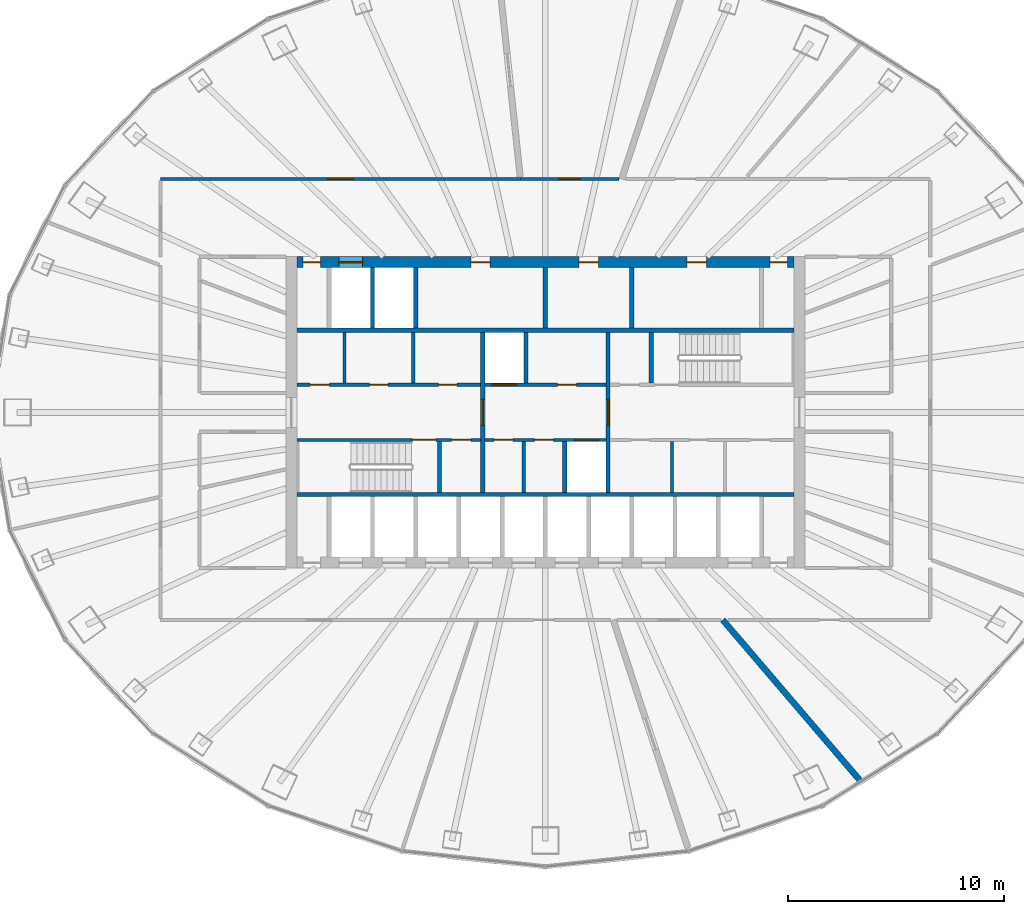
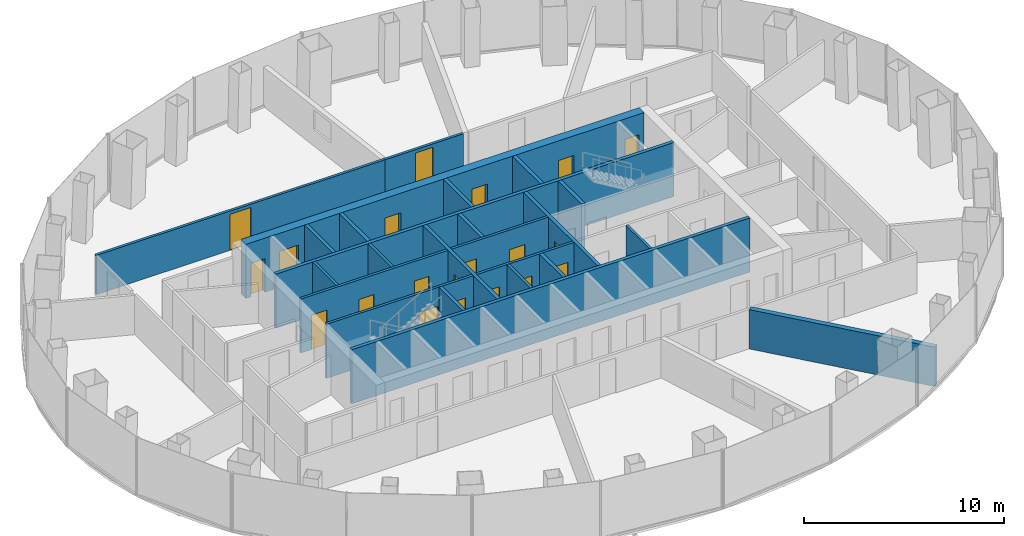
# One storey, part 9 of 12: 24 walls, 20 doors, 20 openings.
"""IFC4 building model written with IfcOpenShell, lengths in metres."""

from ifc_helpers import new_model, si_unit, direction, frame, frame_2d, origin, place, context, subcontext, project, spatial, rectangle, extrude, material, layer, layer_set, type_object, element, fill, save


model = new_model("IFC4")

# Units and contexts
model_context = context("Model", 3, precision=1e-05, world=origin(), true_north=direction((0.0, 1.0)))
body_context = subcontext(model_context, "Body", "Model", "MODEL_VIEW")
ifc_project = project(units=[si_unit("LENGTHUNIT", "METRE"), si_unit("AREAUNIT", "SQUARE_METRE"), si_unit("VOLUMEUNIT", "CUBIC_METRE"), si_unit("PLANEANGLEUNIT", "RADIAN"), si_unit("MASSUNIT", "GRAM", prefix="KILO")], contexts=[model_context])

# Site, building, storey
site_placement = place(None, origin())
site = spatial("IfcSite", under=ifc_project, at=site_placement, CompositionType="ELEMENT")
building_placement = place(site_placement, origin())
building = spatial("IfcBuilding", under=site, at=building_placement, Name="Siaravel Broadcast Tower", CompositionType="ELEMENT")
storey_placement = place(building_placement, frame((0.0, 0.0, 115.60009765625)))
storey = spatial("IfcBuildingStorey", under=building, at=storey_placement, Name="L27", CompositionType="ELEMENT", Elevation=115.60009765625)

# Walls
ifc_material_1 = material(Name="Double-leaf acoustic partition", Category="gypsum")
ifc_layer_1 = layer(ifc_material_1, 0.280029296875)
ifc_layer_set_1 = layer_set([ifc_layer_1], Name="Double-leaf acoustic partition")
wall_type_1 = type_object("IfcWallType", Name="Acoustic double-leaf wall 280", PredefinedType="PARTITIONING", material=ifc_layer_set_1)
wall_1_placement = place(storey_placement, frame((8.206298828125, -9.60009765625, 0.0), z_axis=(0.0, 0.0, 1.0), x_axis=(0.649790619, -0.760113249, 0.0)))
element("IfcWall", 1, at=wall_1_placement, inside=storey, type_object=wall_type_1, Name="L27 partition 8", PredefinedType="PARTITIONING", context=body_context, shape_type="SweptSolid", body=[
    extrude(rectangle(XDim=9.849853515625, YDim=0.280029296875, at=frame_2d((4.9248046875, 0.0))), origin(), (0.0, 0.0, 1.0), 2.39990234375),
])
ifc_material_2 = material(Name="Concrete blockwork", Category="masonry")
ifc_layer_2 = layer(ifc_material_2, 0.14990234375)
ifc_layer_set_2 = layer_set([ifc_layer_2], Name="Concrete blockwork")
wall_type_2 = type_object("IfcWallType", Name="Core partition 150", PredefinedType="PARTITIONING", material=ifc_layer_set_2)
for number, where, z_axis, x_axis, name in (
    (2, (-9.29296875, 1.35009765625, 0.0), (0.0, 0.0, 1.0), (0.0, 1.0, 0.0), "L27 core partition PNW0"),
    (3, (-6.10888671875, 1.35009765625, 0.0), (0.0, 0.0, 1.0), (0.0, 1.0, 0.0), "L27 core partition PNW1"),
    (4, (5.863037109375, -3.699951171875, 0.0), (0.0, 0.0, 1.0), (0.0, 1.0, 0.0), "L27 core partition PSE0"),
    (5, (-1.0, -3.699951171875, 0.0), (0.0, 0.0, 1.0), (0.0, 1.0, 0.0), "L27 core partition PSM0"),
):
    element("IfcWall", number, at=place(storey_placement, frame(where, z_axis=z_axis, x_axis=x_axis)), inside=storey, type_object=wall_type_2, Name=name, PredefinedType="PARTITIONING", context=body_context, shape_type="SweptSolid", body=[
        extrude(rectangle(XDim=2.349853515625, YDim=0.14990234375, at=frame_2d((1.1748046875, 0.0))), origin(), (0.0, 0.0, 1.0), 3.2998046875),
    ])
ifc_layer_3 = layer(ifc_material_2, 0.199951171875)
ifc_layer_set_3 = layer_set([ifc_layer_3], Name="Concrete blockwork")
wall_type_3 = type_object("IfcWallType", Name="Core partition 200", PredefinedType="PARTITIONING", material=ifc_layer_set_3)
for number, where, z_axis, x_axis, name in (
    (6, (0.0, 3.89990234375, 0.0), (0.0, 0.0, 1.0), (0.0, 1.0, 0.0), "L27 core partition PFN2"),
    (7, (4.0, 3.89990234375, 0.0), (0.0, 0.0, 1.0), (0.0, 1.0, 0.0), "L27 core partition PFN5"),
):
    element("IfcWall", number, at=place(storey_placement, frame(where, z_axis=z_axis, x_axis=x_axis)), inside=storey, type_object=wall_type_3, Name=name, PredefinedType="PARTITIONING", context=body_context, shape_type="SweptSolid", body=[
        extrude(rectangle(XDim=2.800048828125, YDim=0.199951171875, at=frame_2d((1.39990234375, 0.0))), origin(), (0.0, 0.0, 1.0), 3.2998046875),
    ])

# Wall, openings, doors
ifc_material_3 = material(Name="Concrete C60/75", Category="concrete")
ifc_layer_4 = layer(ifc_material_3, 0.5)
ifc_layer_set_4 = layer_set([ifc_layer_4], Name="Concrete C60/75")
wall_type_4 = type_object("IfcWallType", Name="Core wall 500", PredefinedType="SHEAR", material=ifc_layer_set_4)
wall_2_placement = place(storey_placement, frame((-11.5, 6.949951171875, 0.0), z_axis=(0.0, 0.0, 1.0), x_axis=(1.0, 0.0, 0.0)))
wall_2 = element("IfcWall", 8, at=wall_2_placement, inside=storey, type_object=wall_type_4, Name="L27 core wall ON", PredefinedType="SHEAR", context=body_context, shape_type="SweptSolid", body=[
    extrude(rectangle(XDim=23.0, YDim=0.5, at=frame_2d((11.5, 0.0))), origin(), (0.0, 0.0, 1.0), 3.2998046875),
])
opening_1_placement = place(wall_2_placement, frame((1.949951171875, 0.0, 0.0)))
opening_1 = element("IfcOpeningElement", 9, at=opening_1_placement, cuts=wall_2, Name="Opening LD-SV2-L27", PredefinedType="OPENING", context=body_context, shape_type="SweptSolid", body=[
    extrude(rectangle(XDim=1.10009765625, YDim=2.199951171875, at=frame_2d((0.550048828125, 1.10009765625))), frame((0.0, 0.260009765625, 0.0), z_axis=(0.0, -1.0, 0.0), x_axis=(1.0, 0.0, 0.0)), (0.0, 0.0, 1.0), 0.52001953125),
])
opening_2_placement = place(wall_2_placement, frame((8.050048828125, 0.0, 0.0)))
opening_2 = element("IfcOpeningElement", 10, at=opening_2_placement, cuts=wall_2, Name="Opening L27-DFN2", PredefinedType="OPENING", context=body_context, shape_type="SweptSolid", body=[
    extrude(rectangle(XDim=0.89990234375, YDim=2.10009765625, at=frame_2d((0.449951171875, 1.050048828125))), frame((0.0, 0.260009765625, 0.0), z_axis=(0.0, -1.0, 0.0), x_axis=(1.0, 0.0, 0.0)), (0.0, 0.0, 1.0), 0.52001953125),
])
opening_3_placement = place(wall_2_placement, frame((13.050048828125, 0.0, 0.0)))
opening_3 = element("IfcOpeningElement", 11, at=opening_3_placement, cuts=wall_2, Name="Opening L27-DFN5", PredefinedType="OPENING", context=body_context, shape_type="SweptSolid", body=[
    extrude(rectangle(XDim=0.89990234375, YDim=2.10009765625, at=frame_2d((0.449951171875, 1.050048828125))), frame((0.0, 0.260009765625, 0.0), z_axis=(0.0, -1.0, 0.0), x_axis=(1.0, 0.0, 0.0)), (0.0, 0.0, 1.0), 0.52001953125),
])
opening_4_placement = place(wall_2_placement, frame((18.050048828125, 0.0, 0.0)))
opening_4 = element("IfcOpeningElement", 12, at=opening_4_placement, cuts=wall_2, Name="Opening L27-DFN7", PredefinedType="OPENING", context=body_context, shape_type="SweptSolid", body=[
    extrude(rectangle(XDim=0.89990234375, YDim=2.10009765625, at=frame_2d((0.449951171875, 1.050048828125))), frame((0.0, 0.260009765625, 0.0), z_axis=(0.0, -1.0, 0.0), x_axis=(1.0, 0.0, 0.0)), (0.0, 0.0, 1.0), 0.52001953125),
])
opening_5_placement = place(wall_2_placement, frame((0.300048828125, 0.0, 0.0)))
opening_5 = element("IfcOpeningElement", 13, at=opening_5_placement, cuts=wall_2, Name="Opening L27-DRNW", PredefinedType="OPENING", context=body_context, shape_type="SweptSolid", body=[
    extrude(rectangle(XDim=0.800048828125, YDim=2.050048828125, at=frame_2d((0.39990234375, 1.02490234375))), frame((0.0, 0.260009765625, 0.0), z_axis=(0.0, -1.0, 0.0), x_axis=(1.0, 0.0, 0.0)), (0.0, 0.0, 1.0), 0.52001953125),
])
opening_6_placement = place(wall_2_placement, frame((21.89990234375, 0.0, 0.0)))
opening_6 = element("IfcOpeningElement", 14, at=opening_6_placement, cuts=wall_2, Name="Opening L27-DRNE", PredefinedType="OPENING", context=body_context, shape_type="SweptSolid", body=[
    extrude(rectangle(XDim=0.800048828125, YDim=2.050048828125, at=frame_2d((0.39990234375, 1.02490234375))), frame((0.0, 0.260009765625, 0.0), z_axis=(0.0, -1.0, 0.0), x_axis=(1.0, 0.0, 0.0)), (0.0, 0.0, 1.0), 0.52001953125),
])
ifc_material_4 = material(Name="Timber veneer", Category="wood")
door_type_1 = type_object("IfcDoorType", Name="Core room door 900", OperationType="SINGLE_SWING_LEFT", PredefinedType="DOOR", material=ifc_material_4)
door_1_placement = place(opening_2_placement, origin())
door_1 = element("IfcDoor", 15, at=door_1_placement, inside=storey, type_object=door_type_1, Name="L27 door DFN2", OperationType="SINGLE_SWING_LEFT", OverallHeight=2.10009765625, OverallWidth=0.89990234375, PredefinedType="DOOR", context=body_context, shape_type="SweptSolid", body=[
    extrude(rectangle(XDim=0.89990234375, YDim=2.10009765625, at=frame_2d((0.449951171875, 1.050048828125))), frame((0.0, 0.02490234375, 0.0), z_axis=(0.0, -1.0, 0.0), x_axis=(1.0, 0.0, 0.0)), (0.0, 0.0, 1.0), 0.050048828125),
])
fill(opening_2, door_1)
door_2_placement = place(opening_3_placement, origin())
door_2 = element("IfcDoor", 16, at=door_2_placement, inside=storey, type_object=door_type_1, Name="L27 door DFN5", OperationType="SINGLE_SWING_LEFT", OverallHeight=2.10009765625, OverallWidth=0.89990234375, PredefinedType="DOOR", context=body_context, shape_type="SweptSolid", body=[
    extrude(rectangle(XDim=0.89990234375, YDim=2.10009765625, at=frame_2d((0.449951171875, 1.050048828125))), frame((0.0, 0.02490234375, 0.0), z_axis=(0.0, -1.0, 0.0), x_axis=(1.0, 0.0, 0.0)), (0.0, 0.0, 1.0), 0.050048828125),
])
fill(opening_3, door_2)
door_3_placement = place(opening_4_placement, origin())
door_3 = element("IfcDoor", 17, at=door_3_placement, inside=storey, type_object=door_type_1, Name="L27 door DFN7", OperationType="SINGLE_SWING_LEFT", OverallHeight=2.10009765625, OverallWidth=0.89990234375, PredefinedType="DOOR", context=body_context, shape_type="SweptSolid", body=[
    extrude(rectangle(XDim=0.89990234375, YDim=2.10009765625, at=frame_2d((0.449951171875, 1.050048828125))), frame((0.0, 0.02490234375, 0.0), z_axis=(0.0, -1.0, 0.0), x_axis=(1.0, 0.0, 0.0)), (0.0, 0.0, 1.0), 0.050048828125),
])
fill(opening_4, door_3)
ifc_material_5 = material(Name="Steel", Category="steel")
door_type_2 = type_object("IfcDoorType", Name="Riser door 800", OperationType="SINGLE_SWING_LEFT", PredefinedType="DOOR", material=ifc_material_5)
door_4_placement = place(opening_5_placement, origin())
door_4 = element("IfcDoor", 18, at=door_4_placement, inside=storey, type_object=door_type_2, Name="L27 door DRNW", OperationType="SINGLE_SWING_LEFT", OverallHeight=2.050048828125, OverallWidth=0.800048828125, PredefinedType="DOOR", context=body_context, shape_type="SweptSolid", body=[
    extrude(rectangle(XDim=0.800048828125, YDim=2.050048828125, at=frame_2d((0.39990234375, 1.02490234375))), frame((0.0, 0.02490234375, 0.0), z_axis=(0.0, -1.0, 0.0), x_axis=(1.0, 0.0, 0.0)), (0.0, 0.0, 1.0), 0.050048828125),
])
fill(opening_5, door_4)
door_5_placement = place(opening_6_placement, origin())
door_5 = element("IfcDoor", 19, at=door_5_placement, inside=storey, type_object=door_type_2, Name="L27 door DRNE", OperationType="SINGLE_SWING_LEFT", OverallHeight=2.050048828125, OverallWidth=0.800048828125, PredefinedType="DOOR", context=body_context, shape_type="SweptSolid", body=[
    extrude(rectangle(XDim=0.800048828125, YDim=2.050048828125, at=frame_2d((0.39990234375, 1.02490234375))), frame((0.0, 0.02490234375, 0.0), z_axis=(0.0, -1.0, 0.0), x_axis=(1.0, 0.0, 0.0)), (0.0, 0.0, 1.0), 0.050048828125),
])
fill(opening_6, door_5)
ifc_material_6 = material(Name="Stainless steel 316L", Category="steel")
door_type_3 = type_object("IfcDoorType", Name="Service lift landing door 1100", OperationType="DOUBLE_DOOR_SLIDING", PredefinedType="DOOR", material=ifc_material_6)
door_6_placement = place(opening_1_placement, origin())
door_6 = element("IfcDoor", 20, at=door_6_placement, inside=storey, type_object=door_type_3, Name="Landing door SV2 L27", OperationType="DOUBLE_DOOR_SLIDING", OverallHeight=2.199951171875, OverallWidth=1.10009765625, PredefinedType="DOOR", context=body_context, shape_type="SweptSolid", body=[
    extrude(rectangle(XDim=1.10009765625, YDim=2.199951171875, at=frame_2d((0.550048828125, 1.10009765625))), frame((0.0, 0.02490234375, 0.0), z_axis=(0.0, -1.0, 0.0), x_axis=(1.0, 0.0, 0.0)), (0.0, 0.0, 1.0), 0.050048828125),
])
fill(opening_1, door_6)

ifc_material_7 = material(Name="Gypsum board partition", Category="gypsum")
ifc_layer_5 = layer(ifc_material_7, 0.14990234375)
ifc_layer_set_5 = layer_set([ifc_layer_5], Name="Gypsum board partition")
wall_type_5 = type_object("IfcWallType", Name="Corridor wall 150", PredefinedType="PARTITIONING", material=ifc_layer_set_5)
wall_3_placement = place(storey_placement, frame((-11.5, 1.27490234375, 0.0), z_axis=(0.0, 0.0, 1.0), x_axis=(1.0, 0.0, 0.0)))
wall_3 = element("IfcWall", 21, at=wall_3_placement, inside=storey, type_object=wall_type_5, Name="L27 core partition CNW", PredefinedType="PARTITIONING", context=body_context, shape_type="SweptSolid", body=[
    extrude(rectangle(XDim=8.5, YDim=0.14990234375, at=frame_2d((4.25, 0.0))), origin(), (0.0, 0.0, 1.0), 3.2998046875),
])
opening_7_placement = place(wall_3_placement, frame((0.615966796875, 0.0, 0.0)))
opening_7 = element("IfcOpeningElement", 22, at=opening_7_placement, cuts=wall_3, Name="Opening L27-DNW0", PredefinedType="OPENING", context=body_context, shape_type="SweptSolid", body=[
    extrude(rectangle(XDim=0.89990234375, YDim=2.10009765625, at=frame_2d((0.449951171875, 1.050048828125))), frame((0.0, 0.0849609375, 0.0), z_axis=(0.0, -1.0, 0.0), x_axis=(1.0, 0.0, 0.0)), (0.0, 0.0, 1.0), 0.169921875),
])
opening_8_placement = place(wall_3_placement, frame((3.3740234375, 0.0, 0.0)))
opening_8 = element("IfcOpeningElement", 23, at=opening_8_placement, cuts=wall_3, Name="Opening L27-DNW1", PredefinedType="OPENING", context=body_context, shape_type="SweptSolid", body=[
    extrude(rectangle(XDim=0.85009765625, YDim=2.10009765625, at=frame_2d((0.425048828125, 1.050048828125))), frame((0.0, 0.0849609375, 0.0), z_axis=(0.0, -1.0, 0.0), x_axis=(1.0, 0.0, 0.0)), (0.0, 0.0, 1.0), 0.169921875),
])
opening_9_placement = place(wall_3_placement, frame((6.55810546875, 0.0, 0.0)))
opening_9 = element("IfcOpeningElement", 24, at=opening_9_placement, cuts=wall_3, Name="Opening L27-DNW2", PredefinedType="OPENING", context=body_context, shape_type="SweptSolid", body=[
    extrude(rectangle(XDim=0.85009765625, YDim=2.10009765625, at=frame_2d((0.425048828125, 1.050048828125))), frame((0.0, 0.0849609375, 0.0), z_axis=(0.0, -1.0, 0.0), x_axis=(1.0, 0.0, 0.0)), (0.0, 0.0, 1.0), 0.169921875),
])
door_7_placement = place(opening_7_placement, origin())
door_7 = element("IfcDoor", 25, at=door_7_placement, inside=storey, type_object=door_type_1, Name="L27 door DNW0", OperationType="SINGLE_SWING_LEFT", OverallHeight=2.10009765625, OverallWidth=0.89990234375, PredefinedType="DOOR", context=body_context, shape_type="SweptSolid", body=[
    extrude(rectangle(XDim=0.89990234375, YDim=2.10009765625, at=frame_2d((0.449951171875, 1.050048828125))), frame((0.0, 0.02490234375, 0.0), z_axis=(0.0, -1.0, 0.0), x_axis=(1.0, 0.0, 0.0)), (0.0, 0.0, 1.0), 0.050048828125),
])
fill(opening_7, door_7)
door_type_4 = type_object("IfcDoorType", Name="Core toilet door 850", OperationType="SINGLE_SWING_LEFT", PredefinedType="DOOR", material=ifc_material_4)
door_8_placement = place(opening_8_placement, origin())
door_8 = element("IfcDoor", 26, at=door_8_placement, inside=storey, type_object=door_type_4, Name="L27 door DNW1", OperationType="SINGLE_SWING_LEFT", OverallHeight=2.10009765625, OverallWidth=0.85009765625, PredefinedType="DOOR", context=body_context, shape_type="SweptSolid", body=[
    extrude(rectangle(XDim=0.85009765625, YDim=2.10009765625, at=frame_2d((0.425048828125, 1.050048828125))), frame((0.0, 0.02490234375, 0.0), z_axis=(0.0, -1.0, 0.0), x_axis=(1.0, 0.0, 0.0)), (0.0, 0.0, 1.0), 0.050048828125),
])
fill(opening_8, door_8)
door_9_placement = place(opening_9_placement, origin())
door_9 = element("IfcDoor", 27, at=door_9_placement, inside=storey, type_object=door_type_4, Name="L27 door DNW2", OperationType="SINGLE_SWING_LEFT", OverallHeight=2.10009765625, OverallWidth=0.85009765625, PredefinedType="DOOR", context=body_context, shape_type="SweptSolid", body=[
    extrude(rectangle(XDim=0.85009765625, YDim=2.10009765625, at=frame_2d((0.425048828125, 1.050048828125))), frame((0.0, 0.02490234375, 0.0), z_axis=(0.0, -1.0, 0.0), x_axis=(1.0, 0.0, 0.0)), (0.0, 0.0, 1.0), 0.050048828125),
])
fill(opening_9, door_9)

# Wall, opening, door
wall_4_placement = place(storey_placement, frame((-1.153564453125, 10.800048828125, 0.0), z_axis=(0.0, 0.0, 1.0), x_axis=(-1.0, 0.0, 0.0)))
wall_4 = element("IfcWall", 28, at=wall_4_placement, inside=storey, type_object=wall_type_5, Name="L27 partition 1", PredefinedType="PARTITIONING", context=body_context, shape_type="SweptSolid", body=[
    extrude(rectangle(XDim=16.646484375, YDim=0.14990234375, at=frame_2d((8.3232421875, 0.0))), origin(), (0.0, 0.0, 1.0), 2.39990234375),
])
opening_10_placement = place(wall_4_placement, frame((7.72314453125, 0.0, 0.0)))
opening_10 = element("IfcOpeningElement", 29, at=opening_10_placement, cuts=wall_4, Name="Opening L27-011", PredefinedType="OPENING", context=body_context, shape_type="SweptSolid", body=[
    extrude(rectangle(XDim=1.199951171875, YDim=2.199951171875, at=frame_2d((0.60009765625, 1.10009765625))), frame((0.0, 0.0849609375, 0.0), z_axis=(0.0, -1.0, 0.0), x_axis=(1.0, 0.0, 0.0)), (0.0, 0.0, 1.0), 0.169921875),
])
door_type_5 = type_object("IfcDoorType", Name="Office double door 1200", OperationType="DOUBLE_DOOR_SINGLE_SWING", PredefinedType="DOOR", material=ifc_material_4)
door_10_placement = place(opening_10_placement, origin())
door_10 = element("IfcDoor", 30, at=door_10_placement, inside=storey, type_object=door_type_5, Name="L27 door to Open plan production office", OperationType="DOUBLE_DOOR_SINGLE_SWING", OverallHeight=2.199951171875, OverallWidth=1.199951171875, PredefinedType="DOOR", context=body_context, shape_type="SweptSolid", body=[
    extrude(rectangle(XDim=1.199951171875, YDim=2.199951171875, at=frame_2d((0.60009765625, 1.10009765625))), frame((0.0, 0.02490234375, 0.0), z_axis=(0.0, -1.0, 0.0), x_axis=(1.0, 0.0, 0.0)), (0.0, 0.0, 1.0), 0.050048828125),
])
fill(opening_10, door_10)

wall_5_placement = place(storey_placement, frame((3.397705078125, 10.800048828125, 0.0), z_axis=(0.0, 0.0, 1.0), x_axis=(-1.0, 0.0, 0.0)))
wall_5 = element("IfcWall", 31, at=wall_5_placement, inside=storey, type_object=wall_type_5, Name="L27 partition 23", PredefinedType="PARTITIONING", context=body_context, shape_type="SweptSolid", body=[
    extrude(rectangle(XDim=4.55126953125, YDim=0.14990234375, at=frame_2d((2.275634765625, 0.0))), origin(), (0.0, 0.0, 1.0), 2.39990234375),
])
opening_11_placement = place(wall_5_placement, frame((1.775634765625, 0.0, 0.0)))
opening_11 = element("IfcOpeningElement", 32, at=opening_11_placement, cuts=wall_5, Name="Opening L27-009", PredefinedType="OPENING", context=body_context, shape_type="SweptSolid", body=[
    extrude(rectangle(XDim=1.0, YDim=2.199951171875, at=frame_2d((0.5, 1.10009765625))), frame((0.0, 0.0849609375, 0.0), z_axis=(0.0, -1.0, 0.0), x_axis=(1.0, 0.0, 0.0)), (0.0, 0.0, 1.0), 0.169921875),
])
ifc_material_8 = material(Name="Acoustic timber and steel", Category="steel")
door_type_6 = type_object("IfcDoorType", Name="Acoustic door 1000", OperationType="SINGLE_SWING_LEFT", PredefinedType="DOOR", material=ifc_material_8)
door_11_placement = place(opening_11_placement, origin())
door_11 = element("IfcDoor", 33, at=door_11_placement, inside=storey, type_object=door_type_6, Name="L27 door to Viewing theatre", OperationType="SINGLE_SWING_LEFT", OverallHeight=2.199951171875, OverallWidth=1.0, PredefinedType="DOOR", context=body_context, shape_type="SweptSolid", body=[
    extrude(rectangle(XDim=1.0, YDim=2.199951171875, at=frame_2d((0.5, 1.10009765625))), frame((0.0, 0.02490234375, 0.0), z_axis=(0.0, -1.0, 0.0), x_axis=(1.0, 0.0, 0.0)), (0.0, 0.0, 1.0), 0.050048828125),
])
fill(opening_11, door_11)

# Wall, openings, doors
ifc_layer_6 = layer(ifc_material_3, 0.14990234375)
ifc_layer_set_6 = layer_set([ifc_layer_6], Name="Concrete C60/75")
wall_type_6 = type_object("IfcWallType", Name="Shaft wall 150", PredefinedType="SHEAR", material=ifc_layer_set_6)
wall_6_placement = place(storey_placement, frame((-11.5, -1.27490234375, 0.0), z_axis=(0.0, 0.0, 1.0), x_axis=(1.0, 0.0, 0.0)))
wall_6 = element("IfcWall", 34, at=wall_6_placement, inside=storey, type_object=wall_type_6, Name="L27 core wall CSW", PredefinedType="SHEAR", context=body_context, shape_type="SweptSolid", body=[
    extrude(rectangle(XDim=8.5, YDim=0.14990234375, at=frame_2d((4.25, 0.0))), origin(), (0.0, 0.0, 1.0), 3.2998046875),
])
opening_12_placement = place(wall_6_placement, frame((5.35009765625, 0.0, 0.0)))
opening_12 = element("IfcOpeningElement", 35, at=opening_12_placement, cuts=wall_6, Name="Opening L27-DS-1", PredefinedType="OPENING", context=body_context, shape_type="SweptSolid", body=[
    extrude(rectangle(XDim=1.10009765625, YDim=2.14990234375, at=frame_2d((0.550048828125, 1.074951171875))), frame((0.0, 0.0849609375, 0.0), z_axis=(0.0, -1.0, 0.0), x_axis=(1.0, 0.0, 0.0)), (0.0, 0.0, 1.0), 0.169921875),
])
opening_13_placement = place(wall_6_placement, frame((7.14990234375, 0.0, 0.0)))
opening_13 = element("IfcOpeningElement", 36, at=opening_13_placement, cuts=wall_6, Name="Opening L27-DSW0", PredefinedType="OPENING", context=body_context, shape_type="SweptSolid", body=[
    extrude(rectangle(XDim=0.89990234375, YDim=2.10009765625, at=frame_2d((0.449951171875, 1.050048828125))), frame((0.0, 0.0849609375, 0.0), z_axis=(0.0, -1.0, 0.0), x_axis=(1.0, 0.0, 0.0)), (0.0, 0.0, 1.0), 0.169921875),
])
door_12_placement = place(opening_13_placement, origin())
door_12 = element("IfcDoor", 37, at=door_12_placement, inside=storey, type_object=door_type_1, Name="L27 door DSW0", OperationType="SINGLE_SWING_LEFT", OverallHeight=2.10009765625, OverallWidth=0.89990234375, PredefinedType="DOOR", context=body_context, shape_type="SweptSolid", body=[
    extrude(rectangle(XDim=0.89990234375, YDim=2.10009765625, at=frame_2d((0.449951171875, 1.050048828125))), frame((0.0, 0.02490234375, 0.0), z_axis=(0.0, -1.0, 0.0), x_axis=(1.0, 0.0, 0.0)), (0.0, 0.0, 1.0), 0.050048828125),
])
fill(opening_13, door_12)
door_type_7 = type_object("IfcDoorType", Name="Stair door 1100", OperationType="SINGLE_SWING_LEFT", PredefinedType="DOOR", material=ifc_material_5)
door_13_placement = place(opening_12_placement, origin())
door_13 = element("IfcDoor", 38, at=door_13_placement, inside=storey, type_object=door_type_7, Name="L27 door DS-1", OperationType="SINGLE_SWING_LEFT", OverallHeight=2.14990234375, OverallWidth=1.10009765625, PredefinedType="DOOR", context=body_context, shape_type="SweptSolid", body=[
    extrude(rectangle(XDim=1.10009765625, YDim=2.14990234375, at=frame_2d((0.550048828125, 1.074951171875))), frame((0.0, 0.02490234375, 0.0), z_axis=(0.0, -1.0, 0.0), x_axis=(1.0, 0.0, 0.0)), (0.0, 0.0, 1.0), 0.050048828125),
])
fill(opening_12, door_13)

wall_7_placement = place(storey_placement, frame((-2.800048828125, -1.27490234375, 0.0), z_axis=(0.0, 0.0, 1.0), x_axis=(1.0, 0.0, 0.0)))
wall_7 = element("IfcWall", 39, at=wall_7_placement, inside=storey, type_object=wall_type_6, Name="L27 core wall CSM", PredefinedType="SHEAR", context=body_context, shape_type="SweptSolid", body=[
    extrude(rectangle(XDim=5.60009765625, YDim=0.14990234375, at=frame_2d((2.800048828125, 0.0))), origin(), (0.0, 0.0, 1.0), 3.2998046875),
])
opening_14_placement = place(wall_7_placement, frame((4.14990234375, 0.0, 0.0)))
opening_14 = element("IfcOpeningElement", 40, at=opening_14_placement, cuts=wall_7, Name="Opening LD-FL2-L27", PredefinedType="OPENING", context=body_context, shape_type="SweptSolid", body=[
    extrude(rectangle(XDim=1.10009765625, YDim=2.199951171875, at=frame_2d((0.550048828125, 1.10009765625))), frame((0.0, 0.0849609375, 0.0), z_axis=(0.0, -1.0, 0.0), x_axis=(1.0, 0.0, 0.0)), (0.0, 0.0, 1.0), 0.169921875),
])
opening_15_placement = place(wall_7_placement, frame((0.41259765625, 0.0, 0.0)))
opening_15 = element("IfcOpeningElement", 41, at=opening_15_placement, cuts=wall_7, Name="Opening L27-DSM0", PredefinedType="OPENING", context=body_context, shape_type="SweptSolid", body=[
    extrude(rectangle(XDim=0.89990234375, YDim=2.10009765625, at=frame_2d((0.449951171875, 1.050048828125))), frame((0.0, 0.0849609375, 0.0), z_axis=(0.0, -1.0, 0.0), x_axis=(1.0, 0.0, 0.0)), (0.0, 0.0, 1.0), 0.169921875),
])
opening_16_placement = place(wall_7_placement, frame((2.28759765625, 0.0, 0.0)))
opening_16 = element("IfcOpeningElement", 42, at=opening_16_placement, cuts=wall_7, Name="Opening L27-DSM1", PredefinedType="OPENING", context=body_context, shape_type="SweptSolid", body=[
    extrude(rectangle(XDim=0.89990234375, YDim=2.10009765625, at=frame_2d((0.449951171875, 1.050048828125))), frame((0.0, 0.0849609375, 0.0), z_axis=(0.0, -1.0, 0.0), x_axis=(1.0, 0.0, 0.0)), (0.0, 0.0, 1.0), 0.169921875),
])
door_14_placement = place(opening_15_placement, origin())
door_14 = element("IfcDoor", 43, at=door_14_placement, inside=storey, type_object=door_type_1, Name="L27 door DSM0", OperationType="SINGLE_SWING_LEFT", OverallHeight=2.10009765625, OverallWidth=0.89990234375, PredefinedType="DOOR", context=body_context, shape_type="SweptSolid", body=[
    extrude(rectangle(XDim=0.89990234375, YDim=2.10009765625, at=frame_2d((0.449951171875, 1.050048828125))), frame((0.0, 0.02490234375, 0.0), z_axis=(0.0, -1.0, 0.0), x_axis=(1.0, 0.0, 0.0)), (0.0, 0.0, 1.0), 0.050048828125),
])
fill(opening_15, door_14)
door_15_placement = place(opening_16_placement, origin())
door_15 = element("IfcDoor", 44, at=door_15_placement, inside=storey, type_object=door_type_1, Name="L27 door DSM1", OperationType="SINGLE_SWING_LEFT", OverallHeight=2.10009765625, OverallWidth=0.89990234375, PredefinedType="DOOR", context=body_context, shape_type="SweptSolid", body=[
    extrude(rectangle(XDim=0.89990234375, YDim=2.10009765625, at=frame_2d((0.449951171875, 1.050048828125))), frame((0.0, 0.02490234375, 0.0), z_axis=(0.0, -1.0, 0.0), x_axis=(1.0, 0.0, 0.0)), (0.0, 0.0, 1.0), 0.050048828125),
])
fill(opening_16, door_15)
door_type_8 = type_object("IfcDoorType", Name="Firefighting lift landing door 1100", OperationType="DOUBLE_DOOR_SLIDING", PredefinedType="DOOR", material=ifc_material_6)
door_16_placement = place(opening_14_placement, origin())
door_16 = element("IfcDoor", 45, at=door_16_placement, inside=storey, type_object=door_type_8, Name="Landing door FL2 L27", OperationType="DOUBLE_DOOR_SLIDING", OverallHeight=2.199951171875, OverallWidth=1.10009765625, PredefinedType="DOOR", context=body_context, shape_type="SweptSolid", body=[
    extrude(rectangle(XDim=1.10009765625, YDim=2.199951171875, at=frame_2d((0.550048828125, 1.10009765625))), frame((0.0, 0.02490234375, 0.0), z_axis=(0.0, -1.0, 0.0), x_axis=(1.0, 0.0, 0.0)), (0.0, 0.0, 1.0), 0.050048828125),
])
fill(opening_14, door_16)

wall_8_placement = place(storey_placement, frame((-2.800048828125, 1.27490234375, 0.0), z_axis=(0.0, 0.0, 1.0), x_axis=(1.0, 0.0, 0.0)))
wall_8 = element("IfcWall", 46, at=wall_8_placement, inside=storey, type_object=wall_type_6, Name="L27 core wall CNM", PredefinedType="SHEAR", context=body_context, shape_type="SweptSolid", body=[
    extrude(rectangle(XDim=5.60009765625, YDim=0.14990234375, at=frame_2d((2.800048828125, 0.0))), origin(), (0.0, 0.0, 1.0), 3.2998046875),
])
opening_17_placement = place(wall_8_placement, frame((0.35009765625, 0.0, 0.0)))
opening_17 = element("IfcOpeningElement", 47, at=opening_17_placement, cuts=wall_8, Name="Opening LD-FL1-L27", PredefinedType="OPENING", context=body_context, shape_type="SweptSolid", body=[
    extrude(rectangle(XDim=1.10009765625, YDim=2.199951171875, at=frame_2d((0.550048828125, 1.10009765625))), frame((0.0, 0.0849609375, 0.0), z_axis=(0.0, -1.0, 0.0), x_axis=(1.0, 0.0, 0.0)), (0.0, 0.0, 1.0), 0.169921875),
])
opening_18_placement = place(wall_8_placement, frame((3.35009765625, 0.0, 0.0)))
opening_18 = element("IfcOpeningElement", 48, at=opening_18_placement, cuts=wall_8, Name="Opening L27-DNM0", PredefinedType="OPENING", context=body_context, shape_type="SweptSolid", body=[
    extrude(rectangle(XDim=0.89990234375, YDim=2.10009765625, at=frame_2d((0.449951171875, 1.050048828125))), frame((0.0, 0.0849609375, 0.0), z_axis=(0.0, -1.0, 0.0), x_axis=(1.0, 0.0, 0.0)), (0.0, 0.0, 1.0), 0.169921875),
])
door_17_placement = place(opening_18_placement, origin())
door_17 = element("IfcDoor", 49, at=door_17_placement, inside=storey, type_object=door_type_1, Name="L27 door DNM0", OperationType="SINGLE_SWING_LEFT", OverallHeight=2.10009765625, OverallWidth=0.89990234375, PredefinedType="DOOR", context=body_context, shape_type="SweptSolid", body=[
    extrude(rectangle(XDim=0.89990234375, YDim=2.10009765625, at=frame_2d((0.449951171875, 1.050048828125))), frame((0.0, 0.02490234375, 0.0), z_axis=(0.0, -1.0, 0.0), x_axis=(1.0, 0.0, 0.0)), (0.0, 0.0, 1.0), 0.050048828125),
])
fill(opening_18, door_17)
door_18_placement = place(opening_17_placement, origin())
door_18 = element("IfcDoor", 50, at=door_18_placement, inside=storey, type_object=door_type_8, Name="Landing door FL1 L27", OperationType="DOUBLE_DOOR_SLIDING", OverallHeight=2.199951171875, OverallWidth=1.10009765625, PredefinedType="DOOR", context=body_context, shape_type="SweptSolid", body=[
    extrude(rectangle(XDim=1.10009765625, YDim=2.199951171875, at=frame_2d((0.550048828125, 1.10009765625))), frame((0.0, 0.02490234375, 0.0), z_axis=(0.0, -1.0, 0.0), x_axis=(1.0, 0.0, 0.0)), (0.0, 0.0, 1.0), 0.050048828125),
])
fill(opening_17, door_18)

# Walls
ifc_layer_7 = layer(ifc_material_3, 0.199951171875)
ifc_layer_set_7 = layer_set([ifc_layer_7], Name="Concrete C60/75")
wall_type_7 = type_object("IfcWallType", Name="Shaft wall 200", PredefinedType="SHEAR", material=ifc_layer_set_7)
for number, where, z_axis, x_axis, name in (
    (51, (-11.5, -3.800048828125, 0.0), (0.0, 0.0, 1.0), (1.0, 0.0, 0.0), "L27 core wall BS"),
    (52, (-11.5, 3.800048828125, 0.0), (0.0, 0.0, 1.0), (1.0, 0.0, 0.0), "L27 core wall BN"),
):
    element("IfcWall", number, at=place(storey_placement, frame(where, z_axis=z_axis, x_axis=x_axis)), inside=storey, type_object=wall_type_7, Name=name, PredefinedType="SHEAR", context=body_context, shape_type="SweptSolid", body=[
        extrude(rectangle(XDim=23.0, YDim=0.199951171875, at=frame_2d((11.5, 0.0))), origin(), (0.0, 0.0, 1.0), 3.2998046875),
    ])
for number, where, z_axis, x_axis, name in (
    (53, (-8.0, 3.89990234375, 0.0), (0.0, 0.0, 1.0), (0.0, 1.0, 0.0), "L27 core wall SWN1"),
    (54, (-6.0, 3.89990234375, 0.0), (0.0, 0.0, 1.0), (0.0, 1.0, 0.0), "L27 core wall SWN2"),
):
    element("IfcWall", number, at=place(storey_placement, frame(where, z_axis=z_axis, x_axis=x_axis)), inside=storey, type_object=wall_type_7, Name=name, PredefinedType="SHEAR", context=body_context, shape_type="SweptSolid", body=[
        extrude(rectangle(XDim=2.800048828125, YDim=0.199951171875, at=frame_2d((1.39990234375, 0.0))), origin(), (0.0, 0.0, 1.0), 3.2998046875),
    ])

# Wall, opening, door
wall_9_placement = place(storey_placement, frame((-2.89990234375, -3.699951171875, 0.0), z_axis=(0.0, 0.0, 1.0), x_axis=(0.0, 1.0, 0.0)))
wall_9 = element("IfcWall", 55, at=wall_9_placement, inside=storey, type_object=wall_type_7, Name="L27 core wall LW", PredefinedType="SHEAR", context=body_context, shape_type="SweptSolid", body=[
    extrude(rectangle(XDim=7.39990234375, YDim=0.199951171875, at=frame_2d((3.699951171875, 0.0))), origin(), (0.0, 0.0, 1.0), 3.2998046875),
])
opening_19_placement = place(wall_9_placement, frame((3.10009765625, 0.0, 0.0)))
opening_19 = element("IfcOpeningElement", 56, at=opening_19_placement, cuts=wall_9, Name="Opening L27-DL-W", PredefinedType="OPENING", context=body_context, shape_type="SweptSolid", body=[
    extrude(rectangle(XDim=1.199951171875, YDim=2.199951171875, at=frame_2d((0.60009765625, 1.10009765625))), frame((0.0, 0.10986328125, 0.0), z_axis=(0.0, -1.0, 0.0), x_axis=(1.0, 0.0, 0.0)), (0.0, 0.0, 1.0), 0.219970703125),
])
door_type_9 = type_object("IfcDoorType", Name="Firefighting lobby door 1200", OperationType="SINGLE_SWING_LEFT", PredefinedType="DOOR", material=ifc_material_5)
door_19_placement = place(opening_19_placement, origin())
door_19 = element("IfcDoor", 57, at=door_19_placement, inside=storey, type_object=door_type_9, Name="L27 door DL-W", OperationType="SINGLE_SWING_LEFT", OverallHeight=2.199951171875, OverallWidth=1.199951171875, PredefinedType="DOOR", context=body_context, shape_type="SweptSolid", body=[
    extrude(rectangle(XDim=1.199951171875, YDim=2.199951171875, at=frame_2d((0.60009765625, 1.10009765625))), frame((0.0, 0.02490234375, 0.0), z_axis=(0.0, -1.0, 0.0), x_axis=(1.0, 0.0, 0.0)), (0.0, 0.0, 1.0), 0.050048828125),
])
fill(opening_19, door_19)

wall_10_placement = place(storey_placement, frame((2.89990234375, -3.699951171875, 0.0), z_axis=(0.0, 0.0, 1.0), x_axis=(0.0, 1.0, 0.0)))
wall_10 = element("IfcWall", 58, at=wall_10_placement, inside=storey, type_object=wall_type_7, Name="L27 core wall LE", PredefinedType="SHEAR", context=body_context, shape_type="SweptSolid", body=[
    extrude(rectangle(XDim=7.39990234375, YDim=0.199951171875, at=frame_2d((3.699951171875, 0.0))), origin(), (0.0, 0.0, 1.0), 3.2998046875),
])
opening_20_placement = place(wall_10_placement, frame((3.10009765625, 0.0, 0.0)))
opening_20 = element("IfcOpeningElement", 59, at=opening_20_placement, cuts=wall_10, Name="Opening L27-DL-E", PredefinedType="OPENING", context=body_context, shape_type="SweptSolid", body=[
    extrude(rectangle(XDim=1.199951171875, YDim=2.199951171875, at=frame_2d((0.60009765625, 1.10009765625))), frame((0.0, 0.10986328125, 0.0), z_axis=(0.0, -1.0, 0.0), x_axis=(1.0, 0.0, 0.0)), (0.0, 0.0, 1.0), 0.219970703125),
])
door_20_placement = place(opening_20_placement, origin())
door_20 = element("IfcDoor", 60, at=door_20_placement, inside=storey, type_object=door_type_9, Name="L27 door DL-E", OperationType="SINGLE_SWING_LEFT", OverallHeight=2.199951171875, OverallWidth=1.199951171875, PredefinedType="DOOR", context=body_context, shape_type="SweptSolid", body=[
    extrude(rectangle(XDim=1.199951171875, YDim=2.199951171875, at=frame_2d((0.60009765625, 1.10009765625))), frame((0.0, 0.02490234375, 0.0), z_axis=(0.0, -1.0, 0.0), x_axis=(1.0, 0.0, 0.0)), (0.0, 0.0, 1.0), 0.050048828125),
])
fill(opening_20, door_20)

# Walls
for number, where, z_axis, x_axis, name in (
    (61, (-0.89990234375, 1.35009765625, 0.0), (0.0, 0.0, 1.0), (0.0, 1.0, 0.0), "L27 core wall FF1E"),
    (62, (0.89990234375, -3.699951171875, 0.0), (0.0, 0.0, 1.0), (0.0, 1.0, 0.0), "L27 core wall FF2W"),
    (63, (-4.89990234375, -3.699951171875, 0.0), (0.0, 0.0, 1.0), (0.0, 1.0, 0.0), "L27 core wall ST1E"),
    (64, (4.89990234375, 1.35009765625, 0.0), (0.0, 0.0, 1.0), (0.0, 1.0, 0.0), "L27 core wall ST2W"),
):
    element("IfcWall", number, at=place(storey_placement, frame(where, z_axis=z_axis, x_axis=x_axis)), inside=storey, type_object=wall_type_7, Name=name, PredefinedType="SHEAR", context=body_context, shape_type="SweptSolid", body=[
        extrude(rectangle(XDim=2.349853515625, YDim=0.199951171875, at=frame_2d((1.1748046875, 0.0))), origin(), (0.0, 0.0, 1.0), 3.2998046875),
    ])

save(model, "model.ifc")
